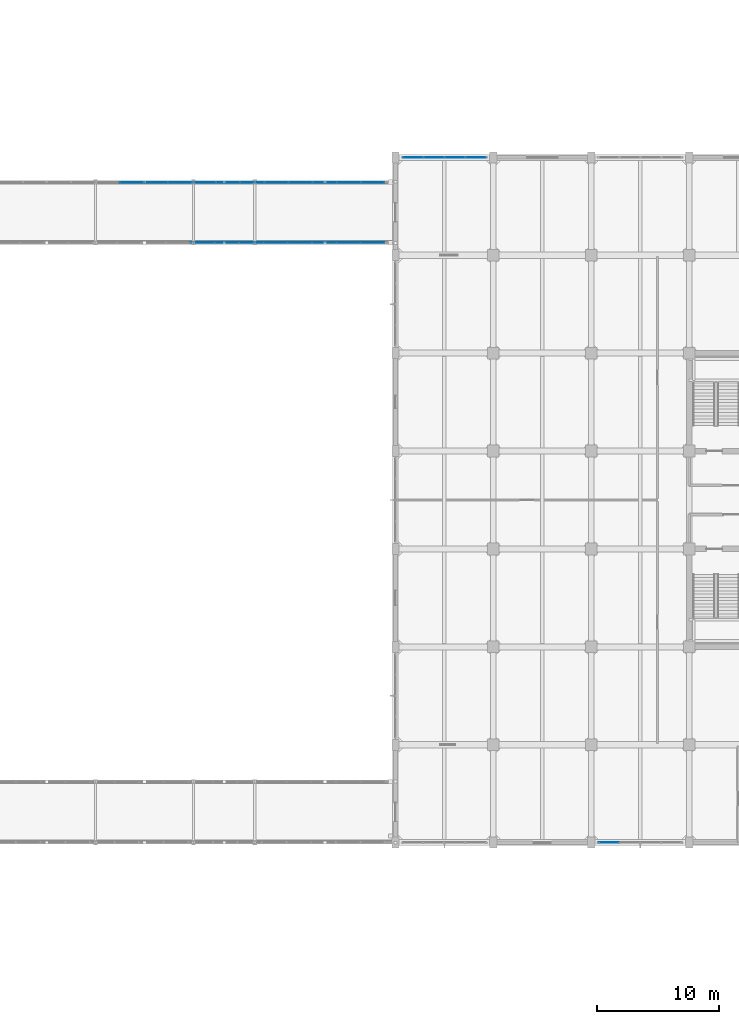
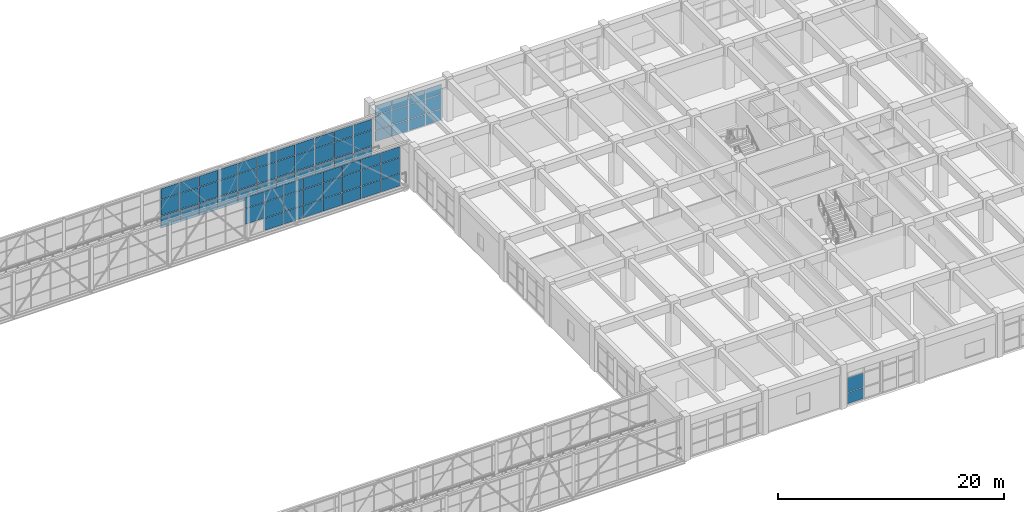
# One storey, part 211 of 248: 70 plates, 4 elements without a shape of their own.
"""IFC4 building model written with IfcOpenShell, lengths in metres."""

from ifc_helpers import new_model, si_unit, direction, frame, origin, origin_2d, place, context, subcontext, project, spatial, rectangle, extrude, material, layer, layer_set, type_object, element, aggregate, save


model = new_model("IFC4")

# Units and contexts
model_context = context("Model", 3, precision=1e-05, world=origin(), true_north=direction((0.0, 1.0)))
body_context = subcontext(model_context, "Body", "Model", "MODEL_VIEW")
ifc_project = project(units=[si_unit("LENGTHUNIT", "METRE"), si_unit("AREAUNIT", "SQUARE_METRE"), si_unit("VOLUMEUNIT", "CUBIC_METRE"), si_unit("PLANEANGLEUNIT", "RADIAN"), si_unit("MASSUNIT", "GRAM", prefix="KILO")], contexts=[model_context])

# Site, building, storey
site_placement = place(None, origin())
site = spatial("IfcSite", under=ifc_project, at=site_placement, CompositionType="ELEMENT")
building_placement = place(site_placement, origin())
building = spatial("IfcBuilding", under=site, at=building_placement, Name="Canggui Botanical Conservatory", CompositionType="ELEMENT")
storey_placement = place(building_placement, frame((0.0, 0.0, 5.39990234375)))
storey = spatial("IfcBuildingStorey", under=building, at=storey_placement, Name="L02", CompositionType="ELEMENT", Elevation=5.39990234375)

# Curtain wall, plates
ifc_material_1 = material(Name="Thermally Broken Aluminium", Category="aluminium")
ifc_layer_1 = layer(ifc_material_1, 0.1650390625, Name="Thermally Broken Aluminium", Category="aluminium")
ifc_layer_set_1 = layer_set([ifc_layer_1], Name="Thermally Broken Aluminium")
curtain_wall_type_1 = type_object("IfcCurtainWallType", Name="CW-UNIT-B", PredefinedType="USERDEFINED", material=ifc_layer_set_1)
curtain_wall_1_placement = place(storey_placement, origin())
curtain_wall_1 = element("IfcCurtainWall", 1, at=curtain_wall_1_placement, inside=storey, type_object=curtain_wall_type_1, Name="Facade Curtain Wall CW-TWR-L02-04", ObjectType="UNITISED CURTAIN WALL", PredefinedType="USERDEFINED")
ifc_material_2 = material(Name="Low-E Insulated Glass", Category="glass")
ifc_layer_2 = layer(ifc_material_2, 0.030029296875, Name="Low-E Insulated Glass", Category="glass")
ifc_layer_set_2 = layer_set([ifc_layer_2], Name="Low-E Insulated Glass")
plate_type_1 = type_object("IfcPlateType", Name="CWP-02", PredefinedType="CURTAIN_PANEL", material=ifc_layer_set_2)
plate_1_placement = place(storey_placement, frame((147.436279296875, 26.0, 0.06005859375), z_axis=(0.0, 0.0, 1.0), x_axis=(-1.0, 0.0, 0.0)))
plate_1 = element("IfcPlate", 2, at=plate_1_placement, type_object=plate_type_1, Name="CW-02 panel 4.1", PredefinedType="CURTAIN_PANEL", context=body_context, shape_type="SweptSolid", body=[
    extrude(rectangle(XDim=1.62255859375, YDim=0.030029296875, at=origin_2d()), origin(), (0.0, 0.0, 1.0), 1.18994140625),
])
plate_2_placement = place(storey_placement, frame((147.436279296875, 26.0, 1.31005859375), z_axis=(0.0, 0.0, 1.0), x_axis=(-1.0, 0.0, 0.0)))
plate_2 = element("IfcPlate", 3, at=plate_2_placement, type_object=plate_type_1, Name="CW-02 panel 4.2", PredefinedType="CURTAIN_PANEL", context=body_context, shape_type="SweptSolid", body=[
    extrude(rectangle(XDim=1.62255859375, YDim=0.030029296875, at=origin_2d()), origin(), (0.0, 0.0, 1.0), 1.5400390625),
])
aggregate(curtain_wall_1, [plate_1, plate_2])

curtain_wall_2_placement = place(storey_placement, origin())
curtain_wall_2 = element("IfcCurtainWall", 4, at=curtain_wall_2_placement, inside=storey, type_object=curtain_wall_type_1, Name="Facade Curtain Wall CW-TWR-L02-14", ObjectType="UNITISED CURTAIN WALL", PredefinedType="USERDEFINED")
plate_3_placement = place(storey_placement, frame((131.436279296875, 82.0, 0.06005859375), z_axis=(0.0, 0.0, 1.0), x_axis=(1.0, 0.0, 0.0)))
plate_3 = element("IfcPlate", 5, at=plate_3_placement, type_object=plate_type_1, Name="CW-02 panel 1.1", PredefinedType="CURTAIN_PANEL", context=body_context, shape_type="SweptSolid", body=[
    extrude(rectangle(XDim=1.62255859375, YDim=0.030029296875, at=origin_2d()), origin(), (0.0, 0.0, 1.0), 1.18994140625),
])
plate_4_placement = place(storey_placement, frame((131.436279296875, 82.0, 1.31005859375), z_axis=(0.0, 0.0, 1.0), x_axis=(1.0, 0.0, 0.0)))
plate_4 = element("IfcPlate", 6, at=plate_4_placement, type_object=plate_type_1, Name="CW-02 panel 1.2", PredefinedType="CURTAIN_PANEL", context=body_context, shape_type="SweptSolid", body=[
    extrude(rectangle(XDim=1.62255859375, YDim=0.030029296875, at=origin_2d()), origin(), (0.0, 0.0, 1.0), 1.5400390625),
])
plate_5_placement = place(storey_placement, frame((131.436279296875, 82.0, 2.91015625), z_axis=(0.0, 0.0, 1.0), x_axis=(1.0, 0.0, 0.0)))
plate_5 = element("IfcPlate", 7, at=plate_5_placement, type_object=plate_type_1, Name="CW-02 panel 1.3", PredefinedType="CURTAIN_PANEL", context=body_context, shape_type="SweptSolid", body=[
    extrude(rectangle(XDim=1.62255859375, YDim=0.030029296875, at=origin_2d()), origin(), (0.0, 0.0, 1.0), 1.030029296875),
])
plate_6_placement = place(storey_placement, frame((133.139892578125, 82.0, 0.06005859375), z_axis=(0.0, 0.0, 1.0), x_axis=(1.0, 0.0, 0.0)))
plate_6 = element("IfcPlate", 8, at=plate_6_placement, type_object=plate_type_1, Name="CW-02 panel 2.1", PredefinedType="CURTAIN_PANEL", context=body_context, shape_type="SweptSolid", body=[
    extrude(rectangle(XDim=1.655029296875, YDim=0.030029296875, at=origin_2d()), origin(), (0.0, 0.0, 1.0), 1.18994140625),
])
plate_7_placement = place(storey_placement, frame((133.139892578125, 82.0, 1.31005859375), z_axis=(0.0, 0.0, 1.0), x_axis=(1.0, 0.0, 0.0)))
plate_7 = element("IfcPlate", 9, at=plate_7_placement, type_object=plate_type_1, Name="CW-02 panel 2.2", PredefinedType="CURTAIN_PANEL", context=body_context, shape_type="SweptSolid", body=[
    extrude(rectangle(XDim=1.655029296875, YDim=0.030029296875, at=origin_2d()), origin(), (0.0, 0.0, 1.0), 1.5400390625),
])
plate_8_placement = place(storey_placement, frame((133.139892578125, 82.0, 2.91015625), z_axis=(0.0, 0.0, 1.0), x_axis=(1.0, 0.0, 0.0)))
plate_8 = element("IfcPlate", 10, at=plate_8_placement, type_object=plate_type_1, Name="CW-02 panel 2.3", PredefinedType="CURTAIN_PANEL", context=body_context, shape_type="SweptSolid", body=[
    extrude(rectangle(XDim=1.655029296875, YDim=0.030029296875, at=origin_2d()), origin(), (0.0, 0.0, 1.0), 1.030029296875),
])
plate_9_placement = place(storey_placement, frame((134.860107421875, 82.0, 0.06005859375), z_axis=(0.0, 0.0, 1.0), x_axis=(1.0, 0.0, 0.0)))
plate_9 = element("IfcPlate", 11, at=plate_9_placement, type_object=plate_type_1, Name="CW-02 panel 3.1", PredefinedType="CURTAIN_PANEL", context=body_context, shape_type="SweptSolid", body=[
    extrude(rectangle(XDim=1.655029296875, YDim=0.030029296875, at=origin_2d()), origin(), (0.0, 0.0, 1.0), 1.18994140625),
])
plate_10_placement = place(storey_placement, frame((134.860107421875, 82.0, 1.31005859375), z_axis=(0.0, 0.0, 1.0), x_axis=(1.0, 0.0, 0.0)))
plate_10 = element("IfcPlate", 12, at=plate_10_placement, type_object=plate_type_1, Name="CW-02 panel 3.2", PredefinedType="CURTAIN_PANEL", context=body_context, shape_type="SweptSolid", body=[
    extrude(rectangle(XDim=1.655029296875, YDim=0.030029296875, at=origin_2d()), origin(), (0.0, 0.0, 1.0), 1.5400390625),
])
plate_11_placement = place(storey_placement, frame((134.860107421875, 82.0, 2.91015625), z_axis=(0.0, 0.0, 1.0), x_axis=(1.0, 0.0, 0.0)))
plate_11 = element("IfcPlate", 13, at=plate_11_placement, type_object=plate_type_1, Name="CW-02 panel 3.3", PredefinedType="CURTAIN_PANEL", context=body_context, shape_type="SweptSolid", body=[
    extrude(rectangle(XDim=1.655029296875, YDim=0.030029296875, at=origin_2d()), origin(), (0.0, 0.0, 1.0), 1.030029296875),
])
plate_12_placement = place(storey_placement, frame((136.563720703125, 82.0, 0.06005859375), z_axis=(0.0, 0.0, 1.0), x_axis=(1.0, 0.0, 0.0)))
plate_12 = element("IfcPlate", 14, at=plate_12_placement, type_object=plate_type_1, Name="CW-02 panel 4.1", PredefinedType="CURTAIN_PANEL", context=body_context, shape_type="SweptSolid", body=[
    extrude(rectangle(XDim=1.62255859375, YDim=0.030029296875, at=origin_2d()), origin(), (0.0, 0.0, 1.0), 1.18994140625),
])
plate_13_placement = place(storey_placement, frame((136.563720703125, 82.0, 1.31005859375), z_axis=(0.0, 0.0, 1.0), x_axis=(1.0, 0.0, 0.0)))
plate_13 = element("IfcPlate", 15, at=plate_13_placement, type_object=plate_type_1, Name="CW-02 panel 4.2", PredefinedType="CURTAIN_PANEL", context=body_context, shape_type="SweptSolid", body=[
    extrude(rectangle(XDim=1.62255859375, YDim=0.030029296875, at=origin_2d()), origin(), (0.0, 0.0, 1.0), 1.5400390625),
])
plate_14_placement = place(storey_placement, frame((136.563720703125, 82.0, 2.91015625), z_axis=(0.0, 0.0, 1.0), x_axis=(1.0, 0.0, 0.0)))
plate_14 = element("IfcPlate", 16, at=plate_14_placement, type_object=plate_type_1, Name="CW-02 panel 4.3", PredefinedType="CURTAIN_PANEL", context=body_context, shape_type="SweptSolid", body=[
    extrude(rectangle(XDim=1.62255859375, YDim=0.030029296875, at=origin_2d()), origin(), (0.0, 0.0, 1.0), 1.030029296875),
])
aggregate(curtain_wall_2, [plate_3, plate_4, plate_5, plate_6, plate_7, plate_8, plate_9, plate_10, plate_11, plate_12, plate_13, plate_14])

ifc_layer_3 = layer(ifc_material_1, 0.1201171875, Name="Thermally Broken Aluminium", Category="aluminium")
ifc_layer_set_3 = layer_set([ifc_layer_3], Name="Thermally Broken Aluminium")
curtain_wall_type_2 = type_object("IfcCurtainWallType", Name="CW-STICK-B", PredefinedType="USERDEFINED", material=ifc_layer_set_3)
curtain_wall_3_placement = place(storey_placement, origin())
curtain_wall_3 = element("IfcCurtainWall", 17, at=curtain_wall_3_placement, inside=storey, type_object=curtain_wall_type_2, Name="Facade Curtain Wall CW-SB-04-1", ObjectType="STICK GLAZED WALL", PredefinedType="USERDEFINED")
ifc_layer_4 = layer(ifc_material_2, 0.0419921875, Name="Low-E Insulated Glass", Category="glass")
ifc_layer_set_4 = layer_set([ifc_layer_4], Name="Low-E Insulated Glass")
plate_type_2 = type_object("IfcPlateType", Name="CWP-05", PredefinedType="CURTAIN_PANEL", material=ifc_layer_set_4)
plate_15_placement = place(storey_placement, frame((114.229736328125, 75.0400390625, 1.41455078125), z_axis=(0.0, 0.0, 1.0), x_axis=(1.0, 0.0, 0.0)))
plate_15 = element("IfcPlate", 18, at=plate_15_placement, type_object=plate_type_2, Name="CW-05 panel 24.2", PredefinedType="CURTAIN_PANEL", context=body_context, shape_type="SweptSolid", body=[
    extrude(rectangle(XDim=1.934326171875, YDim=0.0419921875, at=origin_2d()), origin(), (0.0, 0.0, 1.0), 1.695068359375),
])
plate_16_placement = place(storey_placement, frame((114.229736328125, 75.0400390625, 3.154541015625), z_axis=(0.0, 0.0, 1.0), x_axis=(1.0, 0.0, 0.0)))
plate_16 = element("IfcPlate", 19, at=plate_16_placement, type_object=plate_type_2, Name="CW-05 panel 24.3", PredefinedType="CURTAIN_PANEL", context=body_context, shape_type="SweptSolid", body=[
    extrude(rectangle(XDim=1.934326171875, YDim=0.0419921875, at=origin_2d()), origin(), (0.0, 0.0, 1.0), 1.150390625),
])
plate_17_placement = place(storey_placement, frame((116.21923828125, 75.0400390625, 0.044921875), z_axis=(0.0, 0.0, 1.0), x_axis=(1.0, 0.0, 0.0)))
plate_17 = element("IfcPlate", 20, at=plate_17_placement, type_object=plate_type_2, Name="CW-05 panel 25.1", PredefinedType="CURTAIN_PANEL", context=body_context, shape_type="SweptSolid", body=[
    extrude(rectangle(XDim=1.934326171875, YDim=0.0419921875, at=origin_2d()), origin(), (0.0, 0.0, 1.0), 1.324462890625),
])
plate_18_placement = place(storey_placement, frame((116.21923828125, 75.0400390625, 1.41455078125), z_axis=(0.0, 0.0, 1.0), x_axis=(1.0, 0.0, 0.0)))
plate_18 = element("IfcPlate", 21, at=plate_18_placement, type_object=plate_type_2, Name="CW-05 panel 25.2", PredefinedType="CURTAIN_PANEL", context=body_context, shape_type="SweptSolid", body=[
    extrude(rectangle(XDim=1.934326171875, YDim=0.0419921875, at=origin_2d()), origin(), (0.0, 0.0, 1.0), 1.695068359375),
])
plate_19_placement = place(storey_placement, frame((116.21923828125, 75.0400390625, 3.154541015625), z_axis=(0.0, 0.0, 1.0), x_axis=(1.0, 0.0, 0.0)))
plate_19 = element("IfcPlate", 22, at=plate_19_placement, type_object=plate_type_2, Name="CW-05 panel 25.3", PredefinedType="CURTAIN_PANEL", context=body_context, shape_type="SweptSolid", body=[
    extrude(rectangle(XDim=1.934326171875, YDim=0.0419921875, at=origin_2d()), origin(), (0.0, 0.0, 1.0), 1.150390625),
])
plate_20_placement = place(storey_placement, frame((118.20849609375, 75.0400390625, 0.044921875), z_axis=(0.0, 0.0, 1.0), x_axis=(1.0, 0.0, 0.0)))
plate_20 = element("IfcPlate", 23, at=plate_20_placement, type_object=plate_type_2, Name="CW-05 panel 26.1", PredefinedType="CURTAIN_PANEL", context=body_context, shape_type="SweptSolid", body=[
    extrude(rectangle(XDim=1.934326171875, YDim=0.0419921875, at=origin_2d()), origin(), (0.0, 0.0, 1.0), 1.324462890625),
])
plate_21_placement = place(storey_placement, frame((118.20849609375, 75.0400390625, 1.41455078125), z_axis=(0.0, 0.0, 1.0), x_axis=(1.0, 0.0, 0.0)))
plate_21 = element("IfcPlate", 24, at=plate_21_placement, type_object=plate_type_2, Name="CW-05 panel 26.2", PredefinedType="CURTAIN_PANEL", context=body_context, shape_type="SweptSolid", body=[
    extrude(rectangle(XDim=1.934326171875, YDim=0.0419921875, at=origin_2d()), origin(), (0.0, 0.0, 1.0), 1.695068359375),
])
plate_22_placement = place(storey_placement, frame((118.20849609375, 75.0400390625, 3.154541015625), z_axis=(0.0, 0.0, 1.0), x_axis=(1.0, 0.0, 0.0)))
plate_22 = element("IfcPlate", 25, at=plate_22_placement, type_object=plate_type_2, Name="CW-05 panel 26.3", PredefinedType="CURTAIN_PANEL", context=body_context, shape_type="SweptSolid", body=[
    extrude(rectangle(XDim=1.934326171875, YDim=0.0419921875, at=origin_2d()), origin(), (0.0, 0.0, 1.0), 1.150390625),
])
plate_23_placement = place(storey_placement, frame((120.197998046875, 75.0400390625, 0.044921875), z_axis=(0.0, 0.0, 1.0), x_axis=(1.0, 0.0, 0.0)))
plate_23 = element("IfcPlate", 26, at=plate_23_placement, type_object=plate_type_2, Name="CW-05 panel 27.1", PredefinedType="CURTAIN_PANEL", context=body_context, shape_type="SweptSolid", body=[
    extrude(rectangle(XDim=1.934326171875, YDim=0.0419921875, at=origin_2d()), origin(), (0.0, 0.0, 1.0), 1.324462890625),
])
plate_24_placement = place(storey_placement, frame((120.197998046875, 75.0400390625, 1.41455078125), z_axis=(0.0, 0.0, 1.0), x_axis=(1.0, 0.0, 0.0)))
plate_24 = element("IfcPlate", 27, at=plate_24_placement, type_object=plate_type_2, Name="CW-05 panel 27.2", PredefinedType="CURTAIN_PANEL", context=body_context, shape_type="SweptSolid", body=[
    extrude(rectangle(XDim=1.934326171875, YDim=0.0419921875, at=origin_2d()), origin(), (0.0, 0.0, 1.0), 1.695068359375),
])
plate_25_placement = place(storey_placement, frame((120.197998046875, 75.0400390625, 3.154541015625), z_axis=(0.0, 0.0, 1.0), x_axis=(1.0, 0.0, 0.0)))
plate_25 = element("IfcPlate", 28, at=plate_25_placement, type_object=plate_type_2, Name="CW-05 panel 27.3", PredefinedType="CURTAIN_PANEL", context=body_context, shape_type="SweptSolid", body=[
    extrude(rectangle(XDim=1.934326171875, YDim=0.0419921875, at=origin_2d()), origin(), (0.0, 0.0, 1.0), 1.150390625),
])
plate_26_placement = place(storey_placement, frame((122.187255859375, 75.0400390625, 0.044921875), z_axis=(0.0, 0.0, 1.0), x_axis=(1.0, 0.0, 0.0)))
plate_26 = element("IfcPlate", 29, at=plate_26_placement, type_object=plate_type_2, Name="CW-05 panel 28.1", PredefinedType="CURTAIN_PANEL", context=body_context, shape_type="SweptSolid", body=[
    extrude(rectangle(XDim=1.934326171875, YDim=0.0419921875, at=origin_2d()), origin(), (0.0, 0.0, 1.0), 1.324462890625),
])
plate_27_placement = place(storey_placement, frame((122.187255859375, 75.0400390625, 1.41455078125), z_axis=(0.0, 0.0, 1.0), x_axis=(1.0, 0.0, 0.0)))
plate_27 = element("IfcPlate", 30, at=plate_27_placement, type_object=plate_type_2, Name="CW-05 panel 28.2", PredefinedType="CURTAIN_PANEL", context=body_context, shape_type="SweptSolid", body=[
    extrude(rectangle(XDim=1.934326171875, YDim=0.0419921875, at=origin_2d()), origin(), (0.0, 0.0, 1.0), 1.695068359375),
])
plate_28_placement = place(storey_placement, frame((122.187255859375, 75.0400390625, 3.154541015625), z_axis=(0.0, 0.0, 1.0), x_axis=(1.0, 0.0, 0.0)))
plate_28 = element("IfcPlate", 31, at=plate_28_placement, type_object=plate_type_2, Name="CW-05 panel 28.3", PredefinedType="CURTAIN_PANEL", context=body_context, shape_type="SweptSolid", body=[
    extrude(rectangle(XDim=1.934326171875, YDim=0.0419921875, at=origin_2d()), origin(), (0.0, 0.0, 1.0), 1.150390625),
])
plate_29_placement = place(storey_placement, frame((124.176513671875, 75.0400390625, 0.044921875), z_axis=(0.0, 0.0, 1.0), x_axis=(1.0, 0.0, 0.0)))
plate_29 = element("IfcPlate", 32, at=plate_29_placement, type_object=plate_type_2, Name="CW-05 panel 29.1", PredefinedType="CURTAIN_PANEL", context=body_context, shape_type="SweptSolid", body=[
    extrude(rectangle(XDim=1.934326171875, YDim=0.0419921875, at=origin_2d()), origin(), (0.0, 0.0, 1.0), 1.324462890625),
])
plate_30_placement = place(storey_placement, frame((124.176513671875, 75.0400390625, 1.41455078125), z_axis=(0.0, 0.0, 1.0), x_axis=(1.0, 0.0, 0.0)))
plate_30 = element("IfcPlate", 33, at=plate_30_placement, type_object=plate_type_2, Name="CW-05 panel 29.2", PredefinedType="CURTAIN_PANEL", context=body_context, shape_type="SweptSolid", body=[
    extrude(rectangle(XDim=1.934326171875, YDim=0.0419921875, at=origin_2d()), origin(), (0.0, 0.0, 1.0), 1.695068359375),
])
plate_31_placement = place(storey_placement, frame((124.176513671875, 75.0400390625, 3.154541015625), z_axis=(0.0, 0.0, 1.0), x_axis=(1.0, 0.0, 0.0)))
plate_31 = element("IfcPlate", 34, at=plate_31_placement, type_object=plate_type_2, Name="CW-05 panel 29.3", PredefinedType="CURTAIN_PANEL", context=body_context, shape_type="SweptSolid", body=[
    extrude(rectangle(XDim=1.934326171875, YDim=0.0419921875, at=origin_2d()), origin(), (0.0, 0.0, 1.0), 1.150390625),
])
plate_32_placement = place(storey_placement, frame((126.166015625, 75.0400390625, 0.044921875), z_axis=(0.0, 0.0, 1.0), x_axis=(1.0, 0.0, 0.0)))
plate_32 = element("IfcPlate", 35, at=plate_32_placement, type_object=plate_type_2, Name="CW-05 panel 30.1", PredefinedType="CURTAIN_PANEL", context=body_context, shape_type="SweptSolid", body=[
    extrude(rectangle(XDim=1.934326171875, YDim=0.0419921875, at=origin_2d()), origin(), (0.0, 0.0, 1.0), 1.324462890625),
])
plate_33_placement = place(storey_placement, frame((126.166015625, 75.0400390625, 1.41455078125), z_axis=(0.0, 0.0, 1.0), x_axis=(1.0, 0.0, 0.0)))
plate_33 = element("IfcPlate", 36, at=plate_33_placement, type_object=plate_type_2, Name="CW-05 panel 30.2", PredefinedType="CURTAIN_PANEL", context=body_context, shape_type="SweptSolid", body=[
    extrude(rectangle(XDim=1.934326171875, YDim=0.0419921875, at=origin_2d()), origin(), (0.0, 0.0, 1.0), 1.695068359375),
])
plate_34_placement = place(storey_placement, frame((126.166015625, 75.0400390625, 3.154541015625), z_axis=(0.0, 0.0, 1.0), x_axis=(1.0, 0.0, 0.0)))
plate_34 = element("IfcPlate", 37, at=plate_34_placement, type_object=plate_type_2, Name="CW-05 panel 30.3", PredefinedType="CURTAIN_PANEL", context=body_context, shape_type="SweptSolid", body=[
    extrude(rectangle(XDim=1.934326171875, YDim=0.0419921875, at=origin_2d()), origin(), (0.0, 0.0, 1.0), 1.150390625),
])
plate_35_placement = place(storey_placement, frame((128.1416015625, 75.0400390625, 0.044921875), z_axis=(0.0, 0.0, 1.0), x_axis=(1.0, 0.0, 0.0)))
plate_35 = element("IfcPlate", 38, at=plate_35_placement, type_object=plate_type_2, Name="CW-05 panel 31.1", PredefinedType="CURTAIN_PANEL", context=body_context, shape_type="SweptSolid", body=[
    extrude(rectangle(XDim=1.90673828125, YDim=0.0419921875, at=origin_2d()), origin(), (0.0, 0.0, 1.0), 1.324462890625),
])
plate_36_placement = place(storey_placement, frame((128.1416015625, 75.0400390625, 1.41455078125), z_axis=(0.0, 0.0, 1.0), x_axis=(1.0, 0.0, 0.0)))
plate_36 = element("IfcPlate", 39, at=plate_36_placement, type_object=plate_type_2, Name="CW-05 panel 31.2", PredefinedType="CURTAIN_PANEL", context=body_context, shape_type="SweptSolid", body=[
    extrude(rectangle(XDim=1.90673828125, YDim=0.0419921875, at=origin_2d()), origin(), (0.0, 0.0, 1.0), 1.695068359375),
])
plate_37_placement = place(storey_placement, frame((128.1416015625, 75.0400390625, 3.154541015625), z_axis=(0.0, 0.0, 1.0), x_axis=(1.0, 0.0, 0.0)))
plate_37 = element("IfcPlate", 40, at=plate_37_placement, type_object=plate_type_2, Name="CW-05 panel 31.3", PredefinedType="CURTAIN_PANEL", context=body_context, shape_type="SweptSolid", body=[
    extrude(rectangle(XDim=1.90673828125, YDim=0.0419921875, at=origin_2d()), origin(), (0.0, 0.0, 1.0), 1.150390625),
])
aggregate(curtain_wall_3, [plate_15, plate_16, plate_17, plate_18, plate_19, plate_20, plate_21, plate_22, plate_23, plate_24, plate_25, plate_26, plate_27, plate_28, plate_29, plate_30, plate_31, plate_32, plate_33, plate_34, plate_35, plate_36, plate_37])

curtain_wall_4_placement = place(storey_placement, origin())
curtain_wall_4 = element("IfcCurtainWall", 41, at=curtain_wall_4_placement, inside=storey, type_object=curtain_wall_type_2, Name="Facade Curtain Wall CW-SB-04-2", ObjectType="STICK GLAZED WALL", PredefinedType="USERDEFINED")
plate_38_placement = place(storey_placement, frame((108.435546875, 79.9599609375, 0.044921875), z_axis=(0.0, 0.0, 1.0), x_axis=(1.0, 0.0, 0.0)))
plate_38 = element("IfcPlate", 42, at=plate_38_placement, type_object=plate_type_2, Name="CW-05 panel 22.1", PredefinedType="CURTAIN_PANEL", context=body_context, shape_type="SweptSolid", body=[
    extrude(rectangle(XDim=1.917724609375, YDim=0.0419921875, at=origin_2d()), origin(), (0.0, 0.0, 1.0), 1.324462890625),
])
plate_39_placement = place(storey_placement, frame((108.435546875, 79.9599609375, 1.41455078125), z_axis=(0.0, 0.0, 1.0), x_axis=(1.0, 0.0, 0.0)))
plate_39 = element("IfcPlate", 43, at=plate_39_placement, type_object=plate_type_2, Name="CW-05 panel 22.2", PredefinedType="CURTAIN_PANEL", context=body_context, shape_type="SweptSolid", body=[
    extrude(rectangle(XDim=1.917724609375, YDim=0.0419921875, at=origin_2d()), origin(), (0.0, 0.0, 1.0), 1.695068359375),
])
plate_40_placement = place(storey_placement, frame((108.435546875, 79.9599609375, 3.154541015625), z_axis=(0.0, 0.0, 1.0), x_axis=(1.0, 0.0, 0.0)))
plate_40 = element("IfcPlate", 44, at=plate_40_placement, type_object=plate_type_2, Name="CW-05 panel 22.3", PredefinedType="CURTAIN_PANEL", context=body_context, shape_type="SweptSolid", body=[
    extrude(rectangle(XDim=1.917724609375, YDim=0.0419921875, at=origin_2d()), origin(), (0.0, 0.0, 1.0), 1.150390625),
])
plate_41_placement = place(storey_placement, frame((110.408203125, 79.9599609375, 0.044921875), z_axis=(0.0, 0.0, 1.0), x_axis=(1.0, 0.0, 0.0)))
plate_41 = element("IfcPlate", 45, at=plate_41_placement, type_object=plate_type_2, Name="CW-05 panel 23.1", PredefinedType="CURTAIN_PANEL", context=body_context, shape_type="SweptSolid", body=[
    extrude(rectangle(XDim=1.917724609375, YDim=0.0419921875, at=origin_2d()), origin(), (0.0, 0.0, 1.0), 1.324462890625),
])
plate_42_placement = place(storey_placement, frame((110.408203125, 79.9599609375, 1.41455078125), z_axis=(0.0, 0.0, 1.0), x_axis=(1.0, 0.0, 0.0)))
plate_42 = element("IfcPlate", 46, at=plate_42_placement, type_object=plate_type_2, Name="CW-05 panel 23.2", PredefinedType="CURTAIN_PANEL", context=body_context, shape_type="SweptSolid", body=[
    extrude(rectangle(XDim=1.917724609375, YDim=0.0419921875, at=origin_2d()), origin(), (0.0, 0.0, 1.0), 1.695068359375),
])
plate_43_placement = place(storey_placement, frame((110.408203125, 79.9599609375, 3.154541015625), z_axis=(0.0, 0.0, 1.0), x_axis=(1.0, 0.0, 0.0)))
plate_43 = element("IfcPlate", 47, at=plate_43_placement, type_object=plate_type_2, Name="CW-05 panel 23.3", PredefinedType="CURTAIN_PANEL", context=body_context, shape_type="SweptSolid", body=[
    extrude(rectangle(XDim=1.917724609375, YDim=0.0419921875, at=origin_2d()), origin(), (0.0, 0.0, 1.0), 1.150390625),
])
plate_44_placement = place(storey_placement, frame((112.381103515625, 79.9599609375, 0.044921875), z_axis=(0.0, 0.0, 1.0), x_axis=(1.0, 0.0, 0.0)))
plate_44 = element("IfcPlate", 48, at=plate_44_placement, type_object=plate_type_2, Name="CW-05 panel 24.1", PredefinedType="CURTAIN_PANEL", context=body_context, shape_type="SweptSolid", body=[
    extrude(rectangle(XDim=1.917724609375, YDim=0.0419921875, at=origin_2d()), origin(), (0.0, 0.0, 1.0), 1.324462890625),
])
plate_45_placement = place(storey_placement, frame((112.381103515625, 79.9599609375, 1.41455078125), z_axis=(0.0, 0.0, 1.0), x_axis=(1.0, 0.0, 0.0)))
plate_45 = element("IfcPlate", 49, at=plate_45_placement, type_object=plate_type_2, Name="CW-05 panel 24.2", PredefinedType="CURTAIN_PANEL", context=body_context, shape_type="SweptSolid", body=[
    extrude(rectangle(XDim=1.917724609375, YDim=0.0419921875, at=origin_2d()), origin(), (0.0, 0.0, 1.0), 1.695068359375),
])
plate_46_placement = place(storey_placement, frame((112.381103515625, 79.9599609375, 3.154541015625), z_axis=(0.0, 0.0, 1.0), x_axis=(1.0, 0.0, 0.0)))
plate_46 = element("IfcPlate", 50, at=plate_46_placement, type_object=plate_type_2, Name="CW-05 panel 24.3", PredefinedType="CURTAIN_PANEL", context=body_context, shape_type="SweptSolid", body=[
    extrude(rectangle(XDim=1.917724609375, YDim=0.0419921875, at=origin_2d()), origin(), (0.0, 0.0, 1.0), 1.150390625),
])
plate_47_placement = place(storey_placement, frame((114.35400390625, 79.9599609375, 0.044921875), z_axis=(0.0, 0.0, 1.0), x_axis=(1.0, 0.0, 0.0)))
plate_47 = element("IfcPlate", 51, at=plate_47_placement, type_object=plate_type_2, Name="CW-05 panel 25.1", PredefinedType="CURTAIN_PANEL", context=body_context, shape_type="SweptSolid", body=[
    extrude(rectangle(XDim=1.917724609375, YDim=0.0419921875, at=origin_2d()), origin(), (0.0, 0.0, 1.0), 1.324462890625),
])
plate_48_placement = place(storey_placement, frame((114.35400390625, 79.9599609375, 1.41455078125), z_axis=(0.0, 0.0, 1.0), x_axis=(1.0, 0.0, 0.0)))
plate_48 = element("IfcPlate", 52, at=plate_48_placement, type_object=plate_type_2, Name="CW-05 panel 25.2", PredefinedType="CURTAIN_PANEL", context=body_context, shape_type="SweptSolid", body=[
    extrude(rectangle(XDim=1.917724609375, YDim=0.0419921875, at=origin_2d()), origin(), (0.0, 0.0, 1.0), 1.695068359375),
])
plate_49_placement = place(storey_placement, frame((114.35400390625, 79.9599609375, 3.154541015625), z_axis=(0.0, 0.0, 1.0), x_axis=(1.0, 0.0, 0.0)))
plate_49 = element("IfcPlate", 53, at=plate_49_placement, type_object=plate_type_2, Name="CW-05 panel 25.3", PredefinedType="CURTAIN_PANEL", context=body_context, shape_type="SweptSolid", body=[
    extrude(rectangle(XDim=1.917724609375, YDim=0.0419921875, at=origin_2d()), origin(), (0.0, 0.0, 1.0), 1.150390625),
])
plate_50_placement = place(storey_placement, frame((116.32666015625, 79.9599609375, 0.044921875), z_axis=(0.0, 0.0, 1.0), x_axis=(1.0, 0.0, 0.0)))
plate_50 = element("IfcPlate", 54, at=plate_50_placement, type_object=plate_type_2, Name="CW-05 panel 26.1", PredefinedType="CURTAIN_PANEL", context=body_context, shape_type="SweptSolid", body=[
    extrude(rectangle(XDim=1.917724609375, YDim=0.0419921875, at=origin_2d()), origin(), (0.0, 0.0, 1.0), 1.324462890625),
])
plate_51_placement = place(storey_placement, frame((116.32666015625, 79.9599609375, 1.41455078125), z_axis=(0.0, 0.0, 1.0), x_axis=(1.0, 0.0, 0.0)))
plate_51 = element("IfcPlate", 55, at=plate_51_placement, type_object=plate_type_2, Name="CW-05 panel 26.2", PredefinedType="CURTAIN_PANEL", context=body_context, shape_type="SweptSolid", body=[
    extrude(rectangle(XDim=1.917724609375, YDim=0.0419921875, at=origin_2d()), origin(), (0.0, 0.0, 1.0), 1.695068359375),
])
plate_52_placement = place(storey_placement, frame((116.32666015625, 79.9599609375, 3.154541015625), z_axis=(0.0, 0.0, 1.0), x_axis=(1.0, 0.0, 0.0)))
plate_52 = element("IfcPlate", 56, at=plate_52_placement, type_object=plate_type_2, Name="CW-05 panel 26.3", PredefinedType="CURTAIN_PANEL", context=body_context, shape_type="SweptSolid", body=[
    extrude(rectangle(XDim=1.917724609375, YDim=0.0419921875, at=origin_2d()), origin(), (0.0, 0.0, 1.0), 1.150390625),
])
plate_53_placement = place(storey_placement, frame((118.299560546875, 79.9599609375, 0.044921875), z_axis=(0.0, 0.0, 1.0), x_axis=(1.0, 0.0, 0.0)))
plate_53 = element("IfcPlate", 57, at=plate_53_placement, type_object=plate_type_2, Name="CW-05 panel 27.1", PredefinedType="CURTAIN_PANEL", context=body_context, shape_type="SweptSolid", body=[
    extrude(rectangle(XDim=1.917724609375, YDim=0.0419921875, at=origin_2d()), origin(), (0.0, 0.0, 1.0), 1.324462890625),
])
plate_54_placement = place(storey_placement, frame((118.299560546875, 79.9599609375, 1.41455078125), z_axis=(0.0, 0.0, 1.0), x_axis=(1.0, 0.0, 0.0)))
plate_54 = element("IfcPlate", 58, at=plate_54_placement, type_object=plate_type_2, Name="CW-05 panel 27.2", PredefinedType="CURTAIN_PANEL", context=body_context, shape_type="SweptSolid", body=[
    extrude(rectangle(XDim=1.917724609375, YDim=0.0419921875, at=origin_2d()), origin(), (0.0, 0.0, 1.0), 1.695068359375),
])
plate_55_placement = place(storey_placement, frame((118.299560546875, 79.9599609375, 3.154541015625), z_axis=(0.0, 0.0, 1.0), x_axis=(1.0, 0.0, 0.0)))
plate_55 = element("IfcPlate", 59, at=plate_55_placement, type_object=plate_type_2, Name="CW-05 panel 27.3", PredefinedType="CURTAIN_PANEL", context=body_context, shape_type="SweptSolid", body=[
    extrude(rectangle(XDim=1.917724609375, YDim=0.0419921875, at=origin_2d()), origin(), (0.0, 0.0, 1.0), 1.150390625),
])
plate_56_placement = place(storey_placement, frame((120.2724609375, 79.9599609375, 0.044921875), z_axis=(0.0, 0.0, 1.0), x_axis=(1.0, 0.0, 0.0)))
plate_56 = element("IfcPlate", 60, at=plate_56_placement, type_object=plate_type_2, Name="CW-05 panel 28.1", PredefinedType="CURTAIN_PANEL", context=body_context, shape_type="SweptSolid", body=[
    extrude(rectangle(XDim=1.917724609375, YDim=0.0419921875, at=origin_2d()), origin(), (0.0, 0.0, 1.0), 1.324462890625),
])
plate_57_placement = place(storey_placement, frame((120.2724609375, 79.9599609375, 1.41455078125), z_axis=(0.0, 0.0, 1.0), x_axis=(1.0, 0.0, 0.0)))
plate_57 = element("IfcPlate", 61, at=plate_57_placement, type_object=plate_type_2, Name="CW-05 panel 28.2", PredefinedType="CURTAIN_PANEL", context=body_context, shape_type="SweptSolid", body=[
    extrude(rectangle(XDim=1.917724609375, YDim=0.0419921875, at=origin_2d()), origin(), (0.0, 0.0, 1.0), 1.695068359375),
])
plate_58_placement = place(storey_placement, frame((120.2724609375, 79.9599609375, 3.154541015625), z_axis=(0.0, 0.0, 1.0), x_axis=(1.0, 0.0, 0.0)))
plate_58 = element("IfcPlate", 62, at=plate_58_placement, type_object=plate_type_2, Name="CW-05 panel 28.3", PredefinedType="CURTAIN_PANEL", context=body_context, shape_type="SweptSolid", body=[
    extrude(rectangle(XDim=1.917724609375, YDim=0.0419921875, at=origin_2d()), origin(), (0.0, 0.0, 1.0), 1.150390625),
])
plate_59_placement = place(storey_placement, frame((122.2451171875, 79.9599609375, 0.044921875), z_axis=(0.0, 0.0, 1.0), x_axis=(1.0, 0.0, 0.0)))
plate_59 = element("IfcPlate", 63, at=plate_59_placement, type_object=plate_type_2, Name="CW-05 panel 29.1", PredefinedType="CURTAIN_PANEL", context=body_context, shape_type="SweptSolid", body=[
    extrude(rectangle(XDim=1.917724609375, YDim=0.0419921875, at=origin_2d()), origin(), (0.0, 0.0, 1.0), 1.324462890625),
])
plate_60_placement = place(storey_placement, frame((122.2451171875, 79.9599609375, 1.41455078125), z_axis=(0.0, 0.0, 1.0), x_axis=(1.0, 0.0, 0.0)))
plate_60 = element("IfcPlate", 64, at=plate_60_placement, type_object=plate_type_2, Name="CW-05 panel 29.2", PredefinedType="CURTAIN_PANEL", context=body_context, shape_type="SweptSolid", body=[
    extrude(rectangle(XDim=1.917724609375, YDim=0.0419921875, at=origin_2d()), origin(), (0.0, 0.0, 1.0), 1.695068359375),
])
plate_61_placement = place(storey_placement, frame((122.2451171875, 79.9599609375, 3.154541015625), z_axis=(0.0, 0.0, 1.0), x_axis=(1.0, 0.0, 0.0)))
plate_61 = element("IfcPlate", 65, at=plate_61_placement, type_object=plate_type_2, Name="CW-05 panel 29.3", PredefinedType="CURTAIN_PANEL", context=body_context, shape_type="SweptSolid", body=[
    extrude(rectangle(XDim=1.917724609375, YDim=0.0419921875, at=origin_2d()), origin(), (0.0, 0.0, 1.0), 1.150390625),
])
plate_62_placement = place(storey_placement, frame((124.218017578125, 79.9599609375, 0.044921875), z_axis=(0.0, 0.0, 1.0), x_axis=(1.0, 0.0, 0.0)))
plate_62 = element("IfcPlate", 66, at=plate_62_placement, type_object=plate_type_2, Name="CW-05 panel 30.1", PredefinedType="CURTAIN_PANEL", context=body_context, shape_type="SweptSolid", body=[
    extrude(rectangle(XDim=1.917724609375, YDim=0.0419921875, at=origin_2d()), origin(), (0.0, 0.0, 1.0), 1.324462890625),
])
plate_63_placement = place(storey_placement, frame((124.218017578125, 79.9599609375, 1.41455078125), z_axis=(0.0, 0.0, 1.0), x_axis=(1.0, 0.0, 0.0)))
plate_63 = element("IfcPlate", 67, at=plate_63_placement, type_object=plate_type_2, Name="CW-05 panel 30.2", PredefinedType="CURTAIN_PANEL", context=body_context, shape_type="SweptSolid", body=[
    extrude(rectangle(XDim=1.917724609375, YDim=0.0419921875, at=origin_2d()), origin(), (0.0, 0.0, 1.0), 1.695068359375),
])
plate_64_placement = place(storey_placement, frame((124.218017578125, 79.9599609375, 3.154541015625), z_axis=(0.0, 0.0, 1.0), x_axis=(1.0, 0.0, 0.0)))
plate_64 = element("IfcPlate", 68, at=plate_64_placement, type_object=plate_type_2, Name="CW-05 panel 30.3", PredefinedType="CURTAIN_PANEL", context=body_context, shape_type="SweptSolid", body=[
    extrude(rectangle(XDim=1.917724609375, YDim=0.0419921875, at=origin_2d()), origin(), (0.0, 0.0, 1.0), 1.150390625),
])
plate_65_placement = place(storey_placement, frame((126.190673828125, 79.9599609375, 0.044921875), z_axis=(0.0, 0.0, 1.0), x_axis=(1.0, 0.0, 0.0)))
plate_65 = element("IfcPlate", 69, at=plate_65_placement, type_object=plate_type_2, Name="CW-05 panel 31.1", PredefinedType="CURTAIN_PANEL", context=body_context, shape_type="SweptSolid", body=[
    extrude(rectangle(XDim=1.917724609375, YDim=0.0419921875, at=origin_2d()), origin(), (0.0, 0.0, 1.0), 1.324462890625),
])
plate_66_placement = place(storey_placement, frame((126.190673828125, 79.9599609375, 1.41455078125), z_axis=(0.0, 0.0, 1.0), x_axis=(1.0, 0.0, 0.0)))
plate_66 = element("IfcPlate", 70, at=plate_66_placement, type_object=plate_type_2, Name="CW-05 panel 31.2", PredefinedType="CURTAIN_PANEL", context=body_context, shape_type="SweptSolid", body=[
    extrude(rectangle(XDim=1.917724609375, YDim=0.0419921875, at=origin_2d()), origin(), (0.0, 0.0, 1.0), 1.695068359375),
])
plate_67_placement = place(storey_placement, frame((126.190673828125, 79.9599609375, 3.154541015625), z_axis=(0.0, 0.0, 1.0), x_axis=(1.0, 0.0, 0.0)))
plate_67 = element("IfcPlate", 71, at=plate_67_placement, type_object=plate_type_2, Name="CW-05 panel 31.3", PredefinedType="CURTAIN_PANEL", context=body_context, shape_type="SweptSolid", body=[
    extrude(rectangle(XDim=1.917724609375, YDim=0.0419921875, at=origin_2d()), origin(), (0.0, 0.0, 1.0), 1.150390625),
])
plate_68_placement = place(storey_placement, frame((128.14990234375, 79.9599609375, 0.044921875), z_axis=(0.0, 0.0, 1.0), x_axis=(1.0, 0.0, 0.0)))
plate_68 = element("IfcPlate", 72, at=plate_68_placement, type_object=plate_type_2, Name="CW-05 panel 32.1", PredefinedType="CURTAIN_PANEL", context=body_context, shape_type="SweptSolid", body=[
    extrude(rectangle(XDim=1.890380859375, YDim=0.0419921875, at=origin_2d()), origin(), (0.0, 0.0, 1.0), 1.324462890625),
])
plate_69_placement = place(storey_placement, frame((128.14990234375, 79.9599609375, 1.41455078125), z_axis=(0.0, 0.0, 1.0), x_axis=(1.0, 0.0, 0.0)))
plate_69 = element("IfcPlate", 73, at=plate_69_placement, type_object=plate_type_2, Name="CW-05 panel 32.2", PredefinedType="CURTAIN_PANEL", context=body_context, shape_type="SweptSolid", body=[
    extrude(rectangle(XDim=1.890380859375, YDim=0.0419921875, at=origin_2d()), origin(), (0.0, 0.0, 1.0), 1.695068359375),
])
plate_70_placement = place(storey_placement, frame((128.14990234375, 79.9599609375, 3.154541015625), z_axis=(0.0, 0.0, 1.0), x_axis=(1.0, 0.0, 0.0)))
plate_70 = element("IfcPlate", 74, at=plate_70_placement, type_object=plate_type_2, Name="CW-05 panel 32.3", PredefinedType="CURTAIN_PANEL", context=body_context, shape_type="SweptSolid", body=[
    extrude(rectangle(XDim=1.890380859375, YDim=0.0419921875, at=origin_2d()), origin(), (0.0, 0.0, 1.0), 1.150390625),
])
aggregate(curtain_wall_4, [plate_38, plate_39, plate_40, plate_41, plate_42, plate_43, plate_44, plate_45, plate_46, plate_47, plate_48, plate_49, plate_50, plate_51, plate_52, plate_53, plate_54, plate_55, plate_56, plate_57, plate_58, plate_59, plate_60, plate_61, plate_62, plate_63, plate_64, plate_65, plate_66, plate_67, plate_68, plate_69, plate_70])

save(model, "model.ifc")
